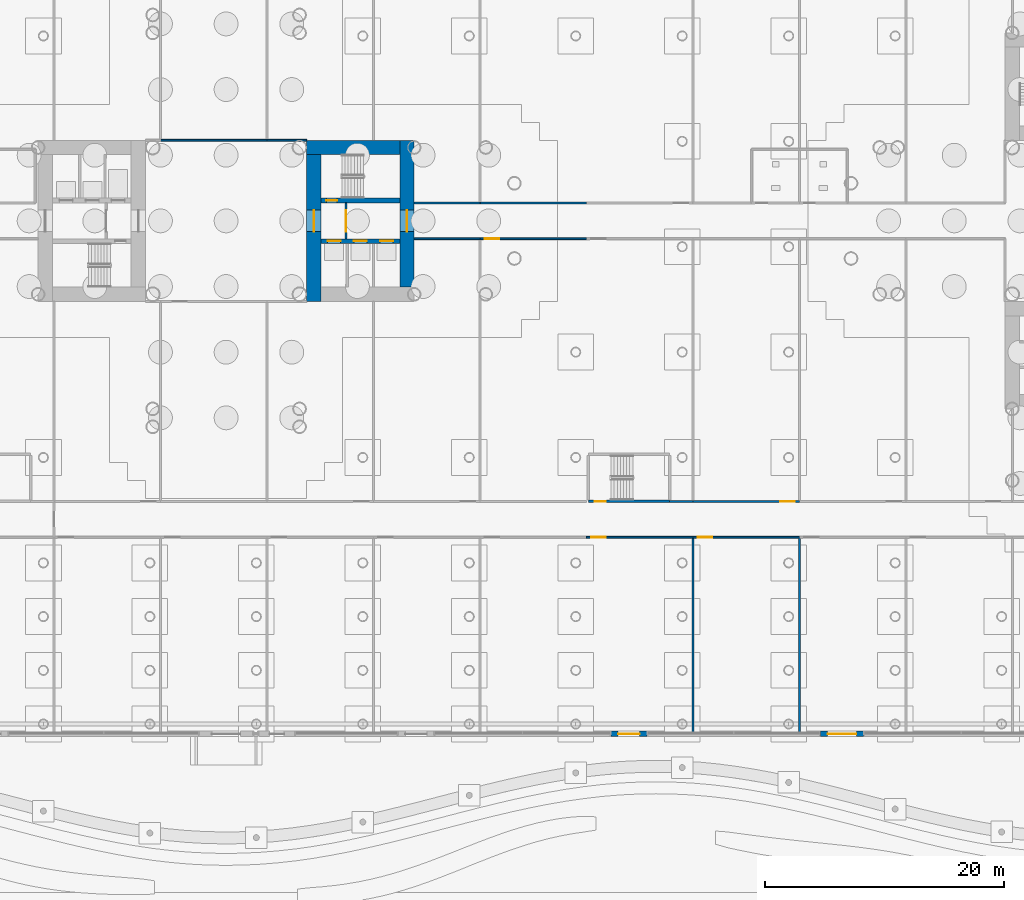
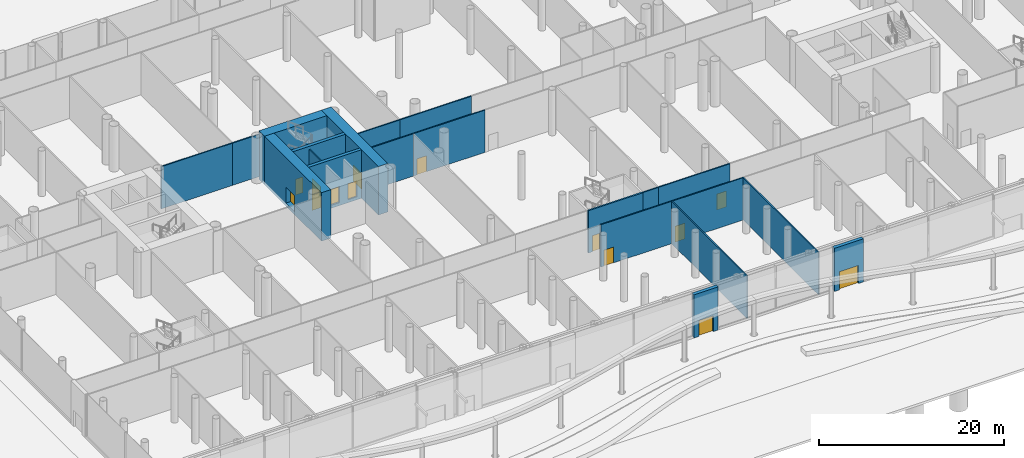
# One storey, part 30 of 75: 21 walls, 14 doors, 14 openings.
"""IFC4 building model written with IfcOpenShell, lengths in metres."""

from ifc_helpers import new_model, si_unit, direction, frame, frame_2d, origin, place, context, subcontext, project, spatial, rectangle, extrude, material, layer, layer_set, type_object, element, fill, save


model = new_model("IFC4")

# Units and contexts
model_context = context("Model", 3, precision=1e-05, world=origin(), true_north=direction((0.0, 1.0)))
body_context = subcontext(model_context, "Body", "Model", "MODEL_VIEW")
ifc_project = project(units=[si_unit("LENGTHUNIT", "METRE"), si_unit("AREAUNIT", "SQUARE_METRE"), si_unit("VOLUMEUNIT", "CUBIC_METRE"), si_unit("PLANEANGLEUNIT", "RADIAN"), si_unit("MASSUNIT", "GRAM", prefix="KILO")], contexts=[model_context])

# Site, building, storey
site_placement = place(None, origin())
site = spatial("IfcSite", under=ifc_project, at=site_placement, CompositionType="ELEMENT")
building_placement = place(site_placement, origin())
building = spatial("IfcBuilding", under=site, at=building_placement, Name="Ipe Terrace Towers", CompositionType="ELEMENT")
storey_placement = place(building_placement, origin())
storey = spatial("IfcBuildingStorey", under=building, at=storey_placement, Name="L00", CompositionType="ELEMENT", Elevation=0.0)

# Wall, opening, door
ifc_material_1 = material(Name="Gypsum board partition", Category="plasterboard")
ifc_layer_1 = layer(ifc_material_1, 0.14990234375)
ifc_layer_set_1 = layer_set([ifc_layer_1], Name="Gypsum board partition 150 mm")
wall_type_1 = type_object("IfcWallType", Name="Gypsum board partition 150 mm", PredefinedType="PARTITIONING", material=ifc_layer_set_1)
wall_1_placement = place(storey_placement, frame((-25.949951171875, -1.5, 0.0), z_axis=(0.0, 0.0, 1.0), x_axis=(0.0, 1.0, 0.0)))
wall_1 = element("IfcWall", 1, at=wall_1_placement, inside=storey, type_object=wall_type_1, Name="Gypsum board partition T1 L00 t1c1-lobby-wall", PredefinedType="PARTITIONING", context=body_context, shape_type="SweptSolid", body=[
    extrude(rectangle(XDim=3.0, YDim=0.14990234375, at=frame_2d((1.5, 0.0))), origin(), (0.0, 0.0, 1.0), 5.580078125),
])
opening_1_placement = place(wall_1_placement, frame((0.60009765625, 0.0, 0.0)))
opening_1 = element("IfcOpeningElement", 2, at=opening_1_placement, cuts=wall_1, Name="Opening T1C1-VD", PredefinedType="OPENING", context=body_context, shape_type="SweptSolid", body=[
    extrude(rectangle(XDim=1.800048828125, YDim=2.10009765625, at=frame_2d((0.89990234375, 1.050048828125))), frame((0.0, 0.0849609375, 0.0), z_axis=(0.0, -1.0, 0.0), x_axis=(1.0, 0.0, 0.0)), (0.0, 0.0, 1.0), 0.169921875),
])
ifc_material_2 = material(Name="Fire-rated timber door leaf", Category="wood")
door_type_1 = type_object("IfcDoorType", Name="Lobby door 1800 x 2100 FD60", OperationType="NOTDEFINED", PredefinedType="DOOR", material=ifc_material_2)
door_1_placement = place(opening_1_placement, origin())
door_1 = element("IfcDoor", 3, at=door_1_placement, inside=storey, type_object=door_type_1, Name="Lobby door T1C1-VD", OperationType="SINGLE_SWING_LEFT", OverallHeight=2.10009765625, OverallWidth=1.800048828125, PredefinedType="DOOR", context=body_context, shape_type="SweptSolid", body=[
    extrude(rectangle(XDim=1.800048828125, YDim=2.10009765625, at=frame_2d((0.89990234375, 1.050048828125))), frame((0.0, 0.02490234375, 0.0), z_axis=(0.0, -1.0, 0.0), x_axis=(1.0, 0.0, 0.0)), (0.0, 0.0, 1.0), 0.050048828125),
])
fill(opening_1, door_1)

# Walls
wall_2_placement = place(storey_placement, frame((-32.570068359375, 6.75, 0.0), z_axis=(0.0, 0.0, 1.0), x_axis=(-1.0, 0.0, 0.0)))
element("IfcWall", 4, at=wall_2_placement, inside=storey, type_object=wall_type_1, Name="Gypsum board partition T1 L00 pd-r14-w36", PredefinedType="PARTITIONING", context=body_context, shape_type="SweptSolid", body=[
    extrude(rectangle(XDim=8.919921875, YDim=0.14990234375, at=frame_2d((4.4599609375, 0.0))), origin(), (0.0, 0.0, 1.0), 5.580078125),
])
wall_3_placement = place(storey_placement, frame((-29.25, 6.75, 0.0), z_axis=(0.0, 0.0, 1.0), x_axis=(-1.0, 0.0, 0.0)))
element("IfcWall", 5, at=wall_3_placement, inside=storey, type_object=wall_type_1, Name="Gypsum board partition T1 L00 pd-r18-w45", PredefinedType="PARTITIONING", context=body_context, shape_type="SweptSolid", body=[
    extrude(rectangle(XDim=3.320068359375, YDim=0.14990234375, at=frame_2d((1.66015625, 0.0))), origin(), (0.0, 0.0, 1.0), 5.580078125),
])
for number, where, z_axis, x_axis, name in (
    (6, (-20.25, -1.5, 0.0), (0.0, 0.0, 1.0), (1.0, 0.0, 0.0), "Gypsum board partition T1 L00 pd-r22-w54"),
    (7, (-14.72998046875, 1.5, 0.0), (0.0, 0.0, 1.0), (-1.0, 0.0, 0.0), "Gypsum board partition T1 L00 pd-r23-w58"),
):
    element("IfcWall", number, at=place(storey_placement, frame(where, z_axis=z_axis, x_axis=x_axis)), inside=storey, type_object=wall_type_1, Name=name, PredefinedType="PARTITIONING", context=body_context, shape_type="SweptSolid", body=[
        extrude(rectangle(XDim=5.52001953125, YDim=0.14990234375, at=frame_2d((2.760009765625, 0.0))), origin(), (0.0, 0.0, 1.0), 5.580078125),
    ])

# Wall, opening, door
wall_4_placement = place(storey_placement, frame((-14.72998046875, -1.5, 0.0), z_axis=(0.0, 0.0, 1.0), x_axis=(1.0, 0.0, 0.0)))
wall_4 = element("IfcWall", 8, at=wall_4_placement, inside=storey, type_object=wall_type_1, Name="Gypsum board partition T1 L00 pd-r25-w61", PredefinedType="PARTITIONING", context=body_context, shape_type="SweptSolid", body=[
    extrude(rectangle(XDim=8.919921875, YDim=0.14990234375, at=frame_2d((4.4599609375, 0.0))), origin(), (0.0, 0.0, 1.0), 5.580078125),
])
opening_2_placement = place(wall_4_placement, frame((0.39990234375, 0.0, 0.0)))
opening_2 = element("IfcOpeningElement", 9, at=opening_2_placement, cuts=wall_4, Name="Opening PD-L00-r25", PredefinedType="OPENING", context=body_context, shape_type="SweptSolid", body=[
    extrude(rectangle(XDim=1.199951171875, YDim=2.10009765625, at=frame_2d((0.60009765625, 1.050048828125))), frame((0.0, 0.0849609375, 0.0), z_axis=(0.0, -1.0, 0.0), x_axis=(1.0, 0.0, 0.0)), (0.0, 0.0, 1.0), 0.169921875),
])
ifc_material_3 = material(Name="Fire-rated timber door leaf", Category="wood")
door_type_2 = type_object("IfcDoorType", Name="Lounge door 1200 x 2100 FD30S", OperationType="NOTDEFINED", PredefinedType="DOOR", material=ifc_material_3)
door_2_placement = place(opening_2_placement, origin())
door_2 = element("IfcDoor", 10, at=door_2_placement, inside=storey, type_object=door_type_2, Name="Lounge door PD-L00-r25", OperationType="SINGLE_SWING_RIGHT", OverallHeight=2.10009765625, OverallWidth=1.199951171875, PredefinedType="DOOR", context=body_context, shape_type="SweptSolid", body=[
    extrude(rectangle(XDim=1.199951171875, YDim=2.10009765625, at=frame_2d((0.60009765625, 1.050048828125))), frame((0.0, 0.02490234375, 0.0), z_axis=(0.0, -1.0, 0.0), x_axis=(1.0, 0.0, 0.0)), (0.0, 0.0, 1.0), 0.050048828125),
])
fill(opening_2, door_2)

# Wall
wall_5_placement = place(storey_placement, frame((-5.81005859375, 1.5, 0.0), z_axis=(0.0, 0.0, 1.0), x_axis=(-1.0, 0.0, 0.0)))
element("IfcWall", 11, at=wall_5_placement, inside=storey, type_object=wall_type_1, Name="Gypsum board partition T1 L00 pd-r26-w64", PredefinedType="PARTITIONING", context=body_context, shape_type="SweptSolid", body=[
    extrude(rectangle(XDim=8.919921875, YDim=0.14990234375, at=frame_2d((4.4599609375, 0.0))), origin(), (0.0, 0.0, 1.0), 5.580078125),
])

# Wall, opening, door
wall_6_placement = place(storey_placement, frame((-5.81005859375, -26.5, 0.0), z_axis=(0.0, 0.0, 1.0), x_axis=(1.0, 0.0, 0.0)))
wall_6 = element("IfcWall", 12, at=wall_6_placement, inside=storey, type_object=wall_type_1, Name="Gypsum board partition T2 L00 pd-r28-w0", PredefinedType="PARTITIONING", context=body_context, shape_type="SweptSolid", body=[
    extrude(rectangle(XDim=8.920166015625, YDim=0.14990234375, at=frame_2d((4.4599609375, 0.0))), origin(), (0.0, 0.0, 1.0), 5.580078125),
])
opening_3_placement = place(wall_6_placement, frame((0.39990234375, 0.0, 0.0)))
opening_3 = element("IfcOpeningElement", 13, at=opening_3_placement, cuts=wall_6, Name="Opening PD-L00-r28", PredefinedType="OPENING", context=body_context, shape_type="SweptSolid", body=[
    extrude(rectangle(XDim=1.199951171875, YDim=2.10009765625, at=frame_2d((0.60009765625, 1.050048828125))), frame((0.0, 0.0849609375, 0.0), z_axis=(0.0, -1.0, 0.0), x_axis=(1.0, 0.0, 0.0)), (0.0, 0.0, 1.0), 0.169921875),
])
door_3_placement = place(opening_3_placement, origin())
door_3 = element("IfcDoor", 14, at=door_3_placement, inside=storey, type_object=door_type_2, Name="Lounge door PD-L00-r28", OperationType="SINGLE_SWING_RIGHT", OverallHeight=2.10009765625, OverallWidth=1.199951171875, PredefinedType="DOOR", context=body_context, shape_type="SweptSolid", body=[
    extrude(rectangle(XDim=1.199951171875, YDim=2.10009765625, at=frame_2d((0.60009765625, 1.050048828125))), frame((0.0, 0.02490234375, 0.0), z_axis=(0.0, -1.0, 0.0), x_axis=(1.0, 0.0, 0.0)), (0.0, 0.0, 1.0), 0.050048828125),
])
fill(opening_3, door_3)

# Walls
wall_7_placement = place(storey_placement, frame((3.110107421875, -26.5, 0.0), z_axis=(0.0, 0.0, 1.0), x_axis=(0.0, -1.0, 0.0)))
element("IfcWall", 15, at=wall_7_placement, inside=storey, type_object=wall_type_1, Name="Gypsum board partition T2 L00 pd-r28-r33-w1", PredefinedType="PARTITIONING", context=body_context, shape_type="SweptSolid", body=[
    extrude(rectangle(XDim=16.35009765625, YDim=0.14990234375, at=frame_2d((8.175048828125, 0.0))), origin(), (0.0, 0.0, 1.0), 5.580078125),
])
wall_8_placement = place(storey_placement, frame((3.110107421875, -23.5, 0.0), z_axis=(0.0, 0.0, 1.0), x_axis=(-1.0, 0.0, 0.0)))
element("IfcWall", 16, at=wall_8_placement, inside=storey, type_object=wall_type_1, Name="Gypsum board partition T2 L00 pd-r30-w5", PredefinedType="PARTITIONING", context=body_context, shape_type="SweptSolid", body=[
    extrude(rectangle(XDim=1.960205078125, YDim=0.14990234375, at=frame_2d((0.97998046875, 0.0))), origin(), (0.0, 0.0, 1.0), 5.580078125),
])

# Wall, opening, door
wall_9_placement = place(storey_placement, frame((3.110107421875, -26.5, 0.0), z_axis=(0.0, 0.0, 1.0), x_axis=(1.0, 0.0, 0.0)))
wall_9 = element("IfcWall", 17, at=wall_9_placement, inside=storey, type_object=wall_type_1, Name="Gypsum board partition T2 L00 pd-r33-w13", PredefinedType="PARTITIONING", context=body_context, shape_type="SweptSolid", body=[
    extrude(rectangle(XDim=8.919921875, YDim=0.14990234375, at=frame_2d((4.4599609375, 0.0))), origin(), (0.0, 0.0, 1.0), 5.580078125),
])
opening_4_placement = place(wall_9_placement, frame((0.39990234375, 0.0, 0.0)))
opening_4 = element("IfcOpeningElement", 18, at=opening_4_placement, cuts=wall_9, Name="Opening PD-L00-r33", PredefinedType="OPENING", context=body_context, shape_type="SweptSolid", body=[
    extrude(rectangle(XDim=1.199951171875, YDim=2.10009765625, at=frame_2d((0.60009765625, 1.050048828125))), frame((0.0, 0.0849609375, 0.0), z_axis=(0.0, -1.0, 0.0), x_axis=(1.0, 0.0, 0.0)), (0.0, 0.0, 1.0), 0.169921875),
])
door_4_placement = place(opening_4_placement, origin())
door_4 = element("IfcDoor", 19, at=door_4_placement, inside=storey, type_object=door_type_2, Name="Lounge door PD-L00-r33", OperationType="SINGLE_SWING_RIGHT", OverallHeight=2.10009765625, OverallWidth=1.199951171875, PredefinedType="DOOR", context=body_context, shape_type="SweptSolid", body=[
    extrude(rectangle(XDim=1.199951171875, YDim=2.10009765625, at=frame_2d((0.60009765625, 1.050048828125))), frame((0.0, 0.02490234375, 0.0), z_axis=(0.0, -1.0, 0.0), x_axis=(1.0, 0.0, 0.0)), (0.0, 0.0, 1.0), 0.050048828125),
])
fill(opening_4, door_4)

# Wall
wall_10_placement = place(storey_placement, frame((12.030029296875, -26.5, 0.0), z_axis=(0.0, 0.0, 1.0), x_axis=(0.0, -1.0, 0.0)))
element("IfcWall", 20, at=wall_10_placement, inside=storey, type_object=wall_type_1, Name="Gypsum board partition T2 L00 pd-r33-r36-w14", PredefinedType="PARTITIONING", context=body_context, shape_type="SweptSolid", body=[
    extrude(rectangle(XDim=16.35009765625, YDim=0.14990234375, at=frame_2d((8.175048828125, 0.0))), origin(), (0.0, 0.0, 1.0), 5.580078125),
])

# Wall, opening, door
wall_11_placement = place(storey_placement, frame((12.030029296875, -23.5, 0.0), z_axis=(0.0, 0.0, 1.0), x_axis=(-1.0, 0.0, 0.0)))
wall_11 = element("IfcWall", 21, at=wall_11_placement, inside=storey, type_object=wall_type_1, Name="Gypsum board partition T2 L00 pd-r34-w15", PredefinedType="PARTITIONING", context=body_context, shape_type="SweptSolid", body=[
    extrude(rectangle(XDim=8.919921875, YDim=0.14990234375, at=frame_2d((4.4599609375, 0.0))), origin(), (0.0, 0.0, 1.0), 5.580078125),
])
opening_5_placement = place(wall_11_placement, frame((0.39990234375, 0.0, 0.0)))
opening_5 = element("IfcOpeningElement", 22, at=opening_5_placement, cuts=wall_11, Name="Opening PD-L00-r34", PredefinedType="OPENING", context=body_context, shape_type="SweptSolid", body=[
    extrude(rectangle(XDim=1.199951171875, YDim=2.10009765625, at=frame_2d((0.60009765625, 1.050048828125))), frame((0.0, 0.0849609375, 0.0), z_axis=(0.0, -1.0, 0.0), x_axis=(1.0, 0.0, 0.0)), (0.0, 0.0, 1.0), 0.169921875),
])
door_5_placement = place(opening_5_placement, origin())
door_5 = element("IfcDoor", 23, at=door_5_placement, inside=storey, type_object=door_type_2, Name="Lounge door PD-L00-r34", OperationType="SINGLE_SWING_RIGHT", OverallHeight=2.10009765625, OverallWidth=1.199951171875, PredefinedType="DOOR", context=body_context, shape_type="SweptSolid", body=[
    extrude(rectangle(XDim=1.199951171875, YDim=2.10009765625, at=frame_2d((0.60009765625, 1.050048828125))), frame((0.0, 0.02490234375, 0.0), z_axis=(0.0, -1.0, 0.0), x_axis=(1.0, 0.0, 0.0)), (0.0, 0.0, 1.0), 0.050048828125),
])
fill(opening_5, door_5)

ifc_material_4 = material(Name="Concrete C40/50 with buff precast cladding", Category="concrete")
ifc_layer_2 = layer(ifc_material_4, 0.43994140625)
ifc_layer_set_2 = layer_set([ifc_layer_2], Name="PODIUM CLADDING WALL 440")
wall_type_2 = type_object("IfcWallType", Name="PODIUM CLADDING WALL 440", PredefinedType="STANDARD", material=ifc_layer_set_2)
wall_12_placement = place(storey_placement, frame((-3.75, -42.969970703125, 0.0), z_axis=(0.0, 0.0, 1.0), x_axis=(1.0, 0.0, 0.0)))
wall_12 = element("IfcWall", 24, at=wall_12_placement, inside=storey, type_object=wall_type_2, Name="POD-W-L00-03l wall", PredefinedType="STANDARD", context=body_context, shape_type="SweptSolid", body=[
    extrude(rectangle(XDim=3.0, YDim=0.43994140625, at=frame_2d((1.5, 0.0))), origin(), (0.0, 0.0, 1.0), 5.699951171875),
])
opening_6_placement = place(wall_12_placement, frame((0.60009765625, 0.0, 0.0)))
opening_6 = element("IfcOpeningElement", 25, at=opening_6_placement, cuts=wall_12, Name="Opening POD-D-L00-02", PredefinedType="OPENING", context=body_context, shape_type="SweptSolid", body=[
    extrude(rectangle(XDim=1.800048828125, YDim=2.10009765625, at=frame_2d((0.89990234375, 1.050048828125))), frame((0.0, 0.22998046875, 0.0), z_axis=(0.0, -1.0, 0.0), x_axis=(1.0, 0.0, 0.0)), (0.0, 0.0, 1.0), 0.4599609375),
])
ifc_material_5 = material(Name="Aluminium alloy 6063-T6 framed glazed door", Category="aluminium")
door_type_3 = type_object("IfcDoorType", Name="STREET DOOR 1800 DOUBLE", OperationType="DOUBLE_DOOR_DOUBLE_SWING", PredefinedType="DOOR", material=ifc_material_5)
door_6_placement = place(opening_6_placement, origin())
door_6 = element("IfcDoor", 26, at=door_6_placement, inside=storey, type_object=door_type_3, Name="DS1 street door", OperationType="DOUBLE_DOOR_DOUBLE_SWING", OverallHeight=2.10009765625, OverallWidth=1.800048828125, PredefinedType="DOOR", context=body_context, shape_type="SweptSolid", body=[
    extrude(rectangle(XDim=1.800048828125, YDim=2.10009765625, at=frame_2d((0.89990234375, 1.050048828125))), frame((0.0, 0.02490234375, 0.0), z_axis=(0.0, -1.0, 0.0), x_axis=(1.0, 0.0, 0.0)), (0.0, 0.0, 1.0), 0.050048828125),
])
fill(opening_6, door_6)

wall_13_placement = place(storey_placement, frame((13.7900390625, -42.969970703125, 0.0), z_axis=(0.0, 0.0, 1.0), x_axis=(1.0, 0.0, 0.0)))
wall_13 = element("IfcWall", 27, at=wall_13_placement, inside=storey, type_object=wall_type_2, Name="POD-W-L00-03n wall", PredefinedType="STANDARD", context=body_context, shape_type="SweptSolid", body=[
    extrude(rectangle(XDim=3.599853515625, YDim=0.43994140625, at=frame_2d((1.7998046875, 0.0))), origin(), (0.0, 0.0, 1.0), 5.699951171875),
])
opening_7_placement = place(wall_13_placement, frame((0.60009765625, 0.0, 0.0)))
opening_7 = element("IfcOpeningElement", 28, at=opening_7_placement, cuts=wall_13, Name="Opening POD-D-L00-07", PredefinedType="OPENING", context=body_context, shape_type="SweptSolid", body=[
    extrude(rectangle(XDim=2.39990234375, YDim=2.39990234375, at=frame_2d((1.199951171875, 1.199951171875))), frame((0.0, 0.22998046875, 0.0), z_axis=(0.0, -1.0, 0.0), x_axis=(1.0, 0.0, 0.0)), (0.0, 0.0, 1.0), 0.4599609375),
])
ifc_material_6 = material(Name="Aluminium alloy 6063-T6 framed glazed door", Category="aluminium")
door_type_4 = type_object("IfcDoorType", Name="SHOPFRONT DOOR 2400 x 2400 DOUBLE", OperationType="DOUBLE_DOOR_DOUBLE_SWING", PredefinedType="DOOR", material=ifc_material_6)
door_7_placement = place(opening_7_placement, origin())
door_7 = element("IfcDoor", 29, at=door_7_placement, inside=storey, type_object=door_type_4, Name="DS2 shopfront door", OperationType="DOUBLE_DOOR_DOUBLE_SWING", OverallHeight=2.39990234375, OverallWidth=2.39990234375, PredefinedType="DOOR", context=body_context, shape_type="SweptSolid", body=[
    extrude(rectangle(XDim=2.39990234375, YDim=2.39990234375, at=frame_2d((1.199951171875, 1.199951171875))), frame((0.0, 0.02490234375, 0.0), z_axis=(0.0, -1.0, 0.0), x_axis=(1.0, 0.0, 0.0)), (0.0, 0.0, 1.0), 0.050048828125),
])
fill(opening_7, door_7)

ifc_material_7 = material(Name="Concrete C60/75", Category="concrete")
ifc_layer_3 = layer(ifc_material_7, 1.199951171875)
ifc_layer_set_3 = layer_set([ifc_layer_3], Name="RW1200 CORE WALL 1200 C60-75")
wall_type_3 = type_object("IfcWallType", Name="RW1200 CORE WALL 1200 C60-75", PredefinedType="SHEAR", material=ifc_layer_set_3)
wall_14_placement = place(storey_placement, frame((-20.85009765625, -5.550048828125, -0.39990234375), z_axis=(0.0, 0.0, 1.0), x_axis=(0.0, 1.0, 0.0)))
wall_14 = element("IfcWall", 30, at=wall_14_placement, inside=storey, type_object=wall_type_3, Name="Core wall T1-C1-P-W02", PredefinedType="SHEAR", context=body_context, shape_type="SweptSolid", body=[
    extrude(rectangle(XDim=12.300048828125, YDim=1.199951171875, at=frame_2d((6.14990234375, 0.0))), origin(), (0.0, 0.0, 1.0), 6.39990234375),
])
opening_8_placement = place(wall_14_placement, frame((4.64990234375, 0.0, 0.39990234375)))
opening_8 = element("IfcOpeningElement", 31, at=opening_8_placement, cuts=wall_14, Name="Opening T1C1-FD", PredefinedType="OPENING", context=body_context, shape_type="SweptSolid", body=[
    extrude(rectangle(XDim=1.800048828125, YDim=2.10009765625, at=frame_2d((0.89990234375, 1.050048828125))), frame((0.0, 0.60986328125, 0.0), z_axis=(0.0, -1.0, 0.0), x_axis=(1.0, 0.0, 0.0)), (0.0, 0.0, 1.0), 1.219970703125),
])
ifc_material_8 = material(Name="Fire-rated timber door leaf", Category="wood")
door_type_5 = type_object("IfcDoorType", Name="Fire door 1800 x 2100 FD30S", OperationType="NOTDEFINED", PredefinedType="DOOR", material=ifc_material_8)
door_8_placement = place(opening_8_placement, origin())
door_8 = element("IfcDoor", 32, at=door_8_placement, inside=storey, type_object=door_type_5, Name="Fire door T1C1-FD", OperationType="SINGLE_SWING_LEFT", OverallHeight=2.10009765625, OverallWidth=1.800048828125, PredefinedType="DOOR", context=body_context, shape_type="SweptSolid", body=[
    extrude(rectangle(XDim=1.800048828125, YDim=2.10009765625, at=frame_2d((0.89990234375, 1.050048828125))), frame((0.0, 0.02490234375, 0.0), z_axis=(0.0, -1.0, 0.0), x_axis=(1.0, 0.0, 0.0)), (0.0, 0.0, 1.0), 0.050048828125),
])
fill(opening_8, door_8)

# Wall
wall_15_placement = place(storey_placement, frame((-21.449951171875, 6.14990234375, -0.39990234375), z_axis=(0.0, 0.0, 1.0), x_axis=(-1.0, 0.0, 0.0)))
element("IfcWall", 33, at=wall_15_placement, inside=storey, type_object=wall_type_3, Name="Core wall T1-C1-P-W03", PredefinedType="SHEAR", context=body_context, shape_type="SweptSolid", body=[
    extrude(rectangle(XDim=7.800048828125, YDim=1.199951171875, at=frame_2d((3.89990234375, 0.0))), origin(), (0.0, 0.0, 1.0), 6.39990234375),
])

# Wall, opening, door
wall_16_placement = place(storey_placement, frame((-28.64990234375, 5.550048828125, -0.39990234375), z_axis=(0.0, 0.0, 1.0), x_axis=(0.0, -1.0, 0.0)))
wall_16 = element("IfcWall", 34, at=wall_16_placement, inside=storey, type_object=wall_type_3, Name="Core wall T1-C1-P-W04", PredefinedType="SHEAR", context=body_context, shape_type="SweptSolid", body=[
    extrude(rectangle(XDim=12.300048828125, YDim=1.199951171875, at=frame_2d((6.14990234375, 0.0))), origin(), (0.0, 0.0, 1.0), 6.39990234375),
])
opening_9_placement = place(wall_16_placement, frame((4.64990234375, 0.0, 0.39990234375)))
opening_9 = element("IfcOpeningElement", 35, at=opening_9_placement, cuts=wall_16, Name="Opening T1C1-ND", PredefinedType="OPENING", context=body_context, shape_type="SweptSolid", body=[
    extrude(rectangle(XDim=1.800048828125, YDim=2.10009765625, at=frame_2d((0.89990234375, 1.050048828125))), frame((0.0, 0.60986328125, 0.0), z_axis=(0.0, -1.0, 0.0), x_axis=(1.0, 0.0, 0.0)), (0.0, 0.0, 1.0), 1.219970703125),
])
door_9_placement = place(opening_9_placement, origin())
door_9 = element("IfcDoor", 36, at=door_9_placement, inside=storey, type_object=door_type_5, Name="Fire door T1C1-ND", OperationType="SINGLE_SWING_LEFT", OverallHeight=2.10009765625, OverallWidth=1.800048828125, PredefinedType="DOOR", context=body_context, shape_type="SweptSolid", body=[
    extrude(rectangle(XDim=1.800048828125, YDim=2.10009765625, at=frame_2d((0.89990234375, 1.050048828125))), frame((0.0, 0.02490234375, 0.0), z_axis=(0.0, -1.0, 0.0), x_axis=(1.0, 0.0, 0.0)), (0.0, 0.0, 1.0), 0.050048828125),
])
fill(opening_9, door_9)

ifc_material_9 = material(Name="Concrete C40/50", Category="concrete")
ifc_layer_4 = layer(ifc_material_9, 0.199951171875)
ifc_layer_set_4 = layer_set([ifc_layer_4], Name="RW200 PODIUM STAIR SHAFT WALL 200 C40-50")
wall_type_4 = type_object("IfcWallType", Name="RW200 PODIUM STAIR SHAFT WALL 200 C40-50", PredefinedType="SHEAR", material=ifc_layer_set_4)
wall_17_placement = place(storey_placement, frame((-5.64990234375, -23.5, 0.0), z_axis=(0.0, 0.0, 1.0), x_axis=(1.0, 0.0, 0.0)))
wall_17 = element("IfcWall", 37, at=wall_17_placement, inside=storey, type_object=wall_type_4, Name="Stair shaft wall T1 L00 ps5-c", PredefinedType="SHEAR", context=body_context, shape_type="SweptSolid", body=[
    extrude(rectangle(XDim=6.7998046875, YDim=0.199951171875, at=frame_2d((3.39990234375, 0.0))), origin(), (0.0, 0.0, 1.0), 5.580078125),
])
opening_10_placement = place(wall_17_placement, frame((0.550048828125, 0.0, 0.0)))
opening_10 = element("IfcOpeningElement", 38, at=opening_10_placement, cuts=wall_17, Name="Opening PS5-SD", PredefinedType="OPENING", context=body_context, shape_type="SweptSolid", body=[
    extrude(rectangle(XDim=0.89990234375, YDim=2.10009765625, at=frame_2d((0.449951171875, 1.050048828125))), frame((0.0, 0.10986328125, 0.0), z_axis=(0.0, -1.0, 0.0), x_axis=(1.0, 0.0, 0.0)), (0.0, 0.0, 1.0), 0.219970703125),
])
ifc_material_10 = material(Name="Fire-rated timber door leaf", Category="wood")
door_type_6 = type_object("IfcDoorType", Name="Stair door 900 x 2100 FD60", OperationType="NOTDEFINED", PredefinedType="DOOR", material=ifc_material_10)
door_10_placement = place(opening_10_placement, origin())
door_10 = element("IfcDoor", 39, at=door_10_placement, inside=storey, type_object=door_type_6, Name="Stair door PS5-SD", OperationType="SINGLE_SWING_RIGHT", OverallHeight=2.10009765625, OverallWidth=0.89990234375, PredefinedType="DOOR", context=body_context, shape_type="SweptSolid", body=[
    extrude(rectangle(XDim=0.89990234375, YDim=2.10009765625, at=frame_2d((0.449951171875, 1.050048828125))), frame((0.0, 0.02490234375, 0.0), z_axis=(0.0, -1.0, 0.0), x_axis=(1.0, 0.0, 0.0)), (0.0, 0.0, 1.0), 0.050048828125),
])
fill(opening_10, door_10)

# Wall, openings, doors
ifc_material_11 = material(Name="Concrete C60/75", Category="concrete")
ifc_layer_5 = layer(ifc_material_11, 0.39990234375)
ifc_layer_set_5 = layer_set([ifc_layer_5], Name="RW400 CORE SPINE WALL 400 C60-75")
wall_type_5 = type_object("IfcWallType", Name="RW400 CORE SPINE WALL 400 C60-75", PredefinedType="SHEAR", material=ifc_layer_set_5)
wall_18_placement = place(storey_placement, frame((-28.050048828125, -1.699951171875, -0.39990234375), z_axis=(0.0, 0.0, 1.0), x_axis=(1.0, 0.0, 0.0)))
wall_18 = element("IfcWall", 40, at=wall_18_placement, inside=storey, type_object=wall_type_5, Name="Core spine wall T1-C1-P-SW1", PredefinedType="SHEAR", context=body_context, shape_type="SweptSolid", body=[
    extrude(rectangle(XDim=6.60009765625, YDim=0.39990234375, at=frame_2d((3.300048828125, 0.0))), origin(), (0.0, 0.0, 1.0), 6.39990234375),
])
opening_11_placement = place(wall_18_placement, frame((0.550048828125, 0.0, 0.39990234375)))
opening_11 = element("IfcOpeningElement", 41, at=opening_11_placement, cuts=wall_18, Name="Opening T1C1-LD1", PredefinedType="OPENING", context=body_context, shape_type="SweptSolid", body=[
    extrude(rectangle(XDim=1.10009765625, YDim=2.10009765625, at=frame_2d((0.550048828125, 1.050048828125))), frame((0.0, 0.2099609375, 0.0), z_axis=(0.0, -1.0, 0.0), x_axis=(1.0, 0.0, 0.0)), (0.0, 0.0, 1.0), 0.419921875),
])
opening_12_placement = place(wall_18_placement, frame((2.75, 0.0, 0.39990234375)))
opening_12 = element("IfcOpeningElement", 42, at=opening_12_placement, cuts=wall_18, Name="Opening T1C1-LD2", PredefinedType="OPENING", context=body_context, shape_type="SweptSolid", body=[
    extrude(rectangle(XDim=1.10009765625, YDim=2.10009765625, at=frame_2d((0.550048828125, 1.050048828125))), frame((0.0, 0.2099609375, 0.0), z_axis=(0.0, -1.0, 0.0), x_axis=(1.0, 0.0, 0.0)), (0.0, 0.0, 1.0), 0.419921875),
])
opening_13_placement = place(wall_18_placement, frame((4.949951171875, 0.0, 0.39990234375)))
opening_13 = element("IfcOpeningElement", 43, at=opening_13_placement, cuts=wall_18, Name="Opening T1C1-LD3", PredefinedType="OPENING", context=body_context, shape_type="SweptSolid", body=[
    extrude(rectangle(XDim=1.10009765625, YDim=2.10009765625, at=frame_2d((0.550048828125, 1.050048828125))), frame((0.0, 0.2099609375, 0.0), z_axis=(0.0, -1.0, 0.0), x_axis=(1.0, 0.0, 0.0)), (0.0, 0.0, 1.0), 0.419921875),
])
ifc_material_12 = material(Name="Fire-rated timber door leaf", Category="wood")
door_type_7 = type_object("IfcDoorType", Name="Sliding door 1100 x 2100 FD60", OperationType="SLIDING_TO_LEFT", PredefinedType="DOOR", material=ifc_material_12)
door_11_placement = place(opening_11_placement, origin())
door_11 = element("IfcDoor", 44, at=door_11_placement, inside=storey, type_object=door_type_7, Name="Sliding door T1C1-LD1", OperationType="SLIDING_TO_LEFT", OverallHeight=2.10009765625, OverallWidth=1.10009765625, PredefinedType="DOOR", context=body_context, shape_type="SweptSolid", body=[
    extrude(rectangle(XDim=1.10009765625, YDim=2.10009765625, at=frame_2d((0.550048828125, 1.050048828125))), frame((0.0, 0.02490234375, 0.0), z_axis=(0.0, -1.0, 0.0), x_axis=(1.0, 0.0, 0.0)), (0.0, 0.0, 1.0), 0.050048828125),
])
fill(opening_11, door_11)
door_12_placement = place(opening_12_placement, origin())
door_12 = element("IfcDoor", 45, at=door_12_placement, inside=storey, type_object=door_type_7, Name="Sliding door T1C1-LD2", OperationType="SLIDING_TO_LEFT", OverallHeight=2.10009765625, OverallWidth=1.10009765625, PredefinedType="DOOR", context=body_context, shape_type="SweptSolid", body=[
    extrude(rectangle(XDim=1.10009765625, YDim=2.10009765625, at=frame_2d((0.550048828125, 1.050048828125))), frame((0.0, 0.02490234375, 0.0), z_axis=(0.0, -1.0, 0.0), x_axis=(1.0, 0.0, 0.0)), (0.0, 0.0, 1.0), 0.050048828125),
])
fill(opening_12, door_12)
door_13_placement = place(opening_13_placement, origin())
door_13 = element("IfcDoor", 46, at=door_13_placement, inside=storey, type_object=door_type_7, Name="Sliding door T1C1-LD3", OperationType="SLIDING_TO_LEFT", OverallHeight=2.10009765625, OverallWidth=1.10009765625, PredefinedType="DOOR", context=body_context, shape_type="SweptSolid", body=[
    extrude(rectangle(XDim=1.10009765625, YDim=2.10009765625, at=frame_2d((0.550048828125, 1.050048828125))), frame((0.0, 0.02490234375, 0.0), z_axis=(0.0, -1.0, 0.0), x_axis=(1.0, 0.0, 0.0)), (0.0, 0.0, 1.0), 0.050048828125),
])
fill(opening_13, door_13)

# Wall, opening, door
wall_19_placement = place(storey_placement, frame((-28.050048828125, 1.699951171875, -0.39990234375), z_axis=(0.0, 0.0, 1.0), x_axis=(1.0, 0.0, 0.0)))
wall_19 = element("IfcWall", 47, at=wall_19_placement, inside=storey, type_object=wall_type_5, Name="Core spine wall T1-C1-P-SW2", PredefinedType="SHEAR", context=body_context, shape_type="SweptSolid", body=[
    extrude(rectangle(XDim=6.60009765625, YDim=0.39990234375, at=frame_2d((3.300048828125, 0.0))), origin(), (0.0, 0.0, 1.0), 6.39990234375),
])
opening_14_placement = place(wall_19_placement, frame((0.449951171875, 0.0, 0.39990234375)))
opening_14 = element("IfcOpeningElement", 48, at=opening_14_placement, cuts=wall_19, Name="Opening T1C1-SD", PredefinedType="OPENING", context=body_context, shape_type="SweptSolid", body=[
    extrude(rectangle(XDim=0.89990234375, YDim=2.10009765625, at=frame_2d((0.449951171875, 1.050048828125))), frame((0.0, 0.2099609375, 0.0), z_axis=(0.0, -1.0, 0.0), x_axis=(1.0, 0.0, 0.0)), (0.0, 0.0, 1.0), 0.419921875),
])
door_14_placement = place(opening_14_placement, origin())
door_14 = element("IfcDoor", 49, at=door_14_placement, inside=storey, type_object=door_type_6, Name="Stair door T1C1-SD", OperationType="SINGLE_SWING_LEFT", OverallHeight=2.10009765625, OverallWidth=0.89990234375, PredefinedType="DOOR", context=body_context, shape_type="SweptSolid", body=[
    extrude(rectangle(XDim=0.89990234375, YDim=2.10009765625, at=frame_2d((0.449951171875, 1.050048828125))), frame((0.0, 0.02490234375, 0.0), z_axis=(0.0, -1.0, 0.0), x_axis=(1.0, 0.0, 0.0)), (0.0, 0.0, 1.0), 0.050048828125),
])
fill(opening_14, door_14)

save(model, "model.ifc")
